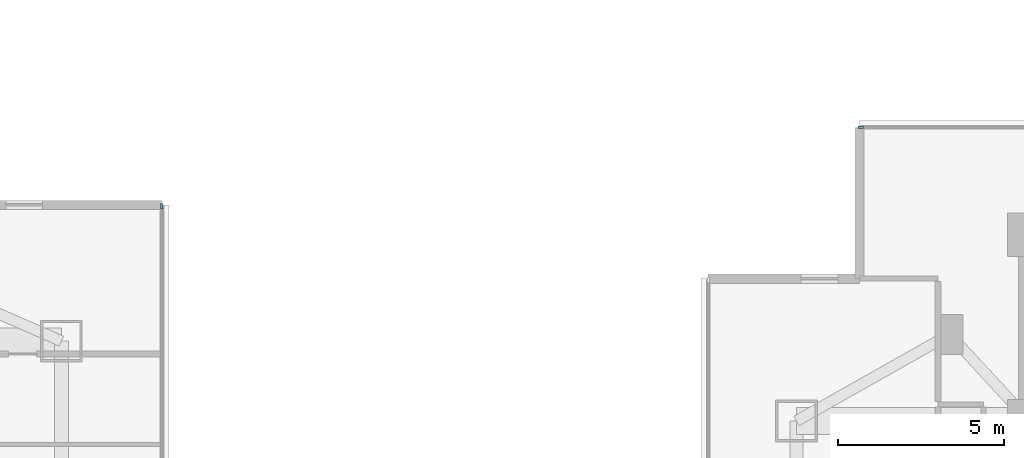
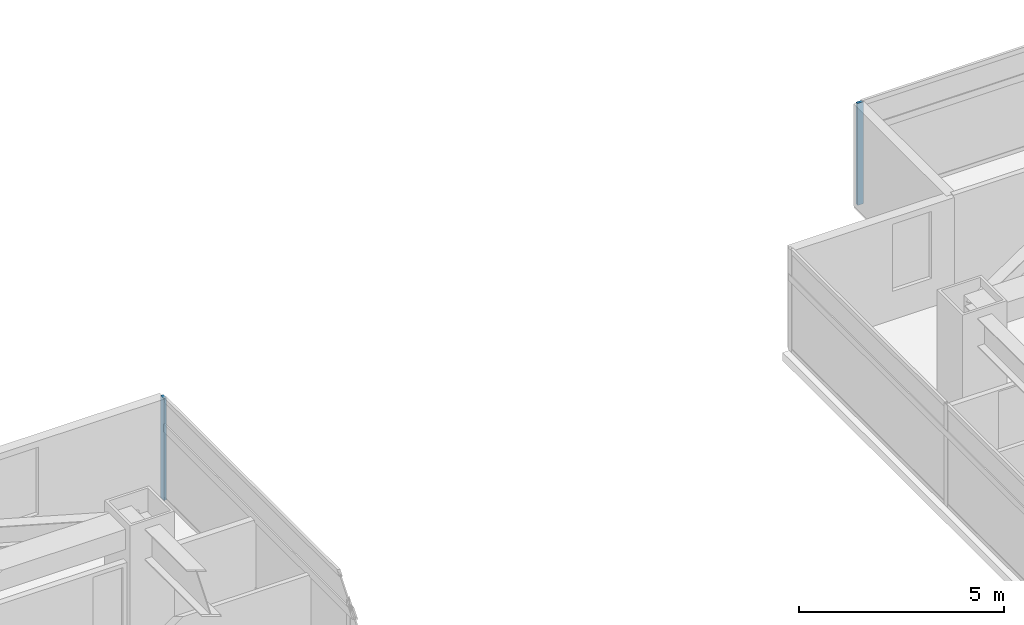
# One storey, part 7 of 24: 2 members, 2 elements without a shape of their own.
"""IFC4 building model written with IfcOpenShell, lengths in metres."""

from ifc_helpers import new_model, si_unit, direction, frame, origin, origin_2d, place, context, subcontext, project, spatial, rectangle, extrude, material, material_profile, profile_set, type_object, element, aggregate, save


model = new_model("IFC4")

# Units and contexts
model_context = context("Model", 3, precision=1e-05, world=origin(), true_north=direction((0.0, 1.0)))
body_context = subcontext(model_context, "Body", "Model", "MODEL_VIEW")
ifc_project = project(units=[si_unit("LENGTHUNIT", "METRE"), si_unit("AREAUNIT", "SQUARE_METRE"), si_unit("VOLUMEUNIT", "CUBIC_METRE"), si_unit("PLANEANGLEUNIT", "RADIAN"), si_unit("MASSUNIT", "GRAM", prefix="KILO")], contexts=[model_context])

# Site, building, storey
site_placement = place(None, origin())
site = spatial("IfcSite", under=ifc_project, at=site_placement, CompositionType="ELEMENT")
building_placement = place(site_placement, origin())
building = spatial("IfcBuilding", under=site, at=building_placement, Name="Mirazonda Arch Towers", CompositionType="ELEMENT")
storey_placement = place(building_placement, frame((0.0, 0.0, 62.0)))
storey = spatial("IfcBuildingStorey", under=building, at=storey_placement, Name="L17", CompositionType="ELEMENT", Elevation=62.0)

# Curtain wall, member
ifc_material_1 = material(Name="Anodised Aluminium and Low-E Glass", Category="aluminium")
curtain_wall_type = type_object("IfcCurtainWallType", Name="CW-HTL-UNIT", PredefinedType="NOTDEFINED", material=ifc_material_1)
curtain_wall_1_placement = place(storey_placement, origin())
curtain_wall_1 = element("IfcCurtainWall", 1, at=curtain_wall_1_placement, inside=storey, type_object=curtain_wall_type, Name="L17 T1 E Facade CW-L17-T1-E", PredefinedType="NOTDEFINED")
ifc_material_2 = material(Name="Anodised Aluminium Alloy", Category="aluminium")
ifc_material_profile = material_profile(ifc_material_2, rectangle(XDim=0.074951171875, YDim=0.1650390625, at=origin_2d()), Name="ALU-MULL-75x165")
ifc_profile_set = profile_set([ifc_material_profile], Name="Anodised Aluminium Alloy")
member_type = type_object("IfcMemberType", Name="MULL-CW-HTL-UNIT", PredefinedType="MULLION", material=ifc_profile_set)
member_1_placement = place(storey_placement, frame((41.919921875, 41.656494140625, 0.0), z_axis=(0.0, 0.0, 1.0), x_axis=(-1.0, 0.0, 0.0)))
member_1 = element("IfcMember", 2, at=member_1_placement, type_object=member_type, Name="CW-112 mullion 4", PredefinedType="MULLION", context=body_context, shape_type="SweptSolid", body=[
    extrude(rectangle(XDim=0.074951171875, YDim=0.1650390625, at=origin_2d()), origin(), (0.0, 0.0, 1.0), 3.0400390625),
])
aggregate(curtain_wall_1, [member_1])

curtain_wall_2_placement = place(storey_placement, origin())
curtain_wall_2 = element("IfcCurtainWall", 3, at=curtain_wall_2_placement, inside=storey, type_object=curtain_wall_type, Name="L17 T2 N Facade CW-L17-T2-N", PredefinedType="NOTDEFINED")
member_2_placement = place(storey_placement, frame((62.929443359375, 44.02587890625, 0.0), z_axis=(0.0, 0.0, 1.0), x_axis=(0.0, 1.0, 0.0)))
member_2 = element("IfcMember", 4, at=member_2_placement, type_object=member_type, Name="CW-112 mullion 1", PredefinedType="MULLION", context=body_context, shape_type="SweptSolid", body=[
    extrude(rectangle(XDim=0.074951171875, YDim=0.1650390625, at=origin_2d()), origin(), (0.0, 0.0, 1.0), 3.0400390625),
])
aggregate(curtain_wall_2, [member_2])

save(model, "model.ifc")
